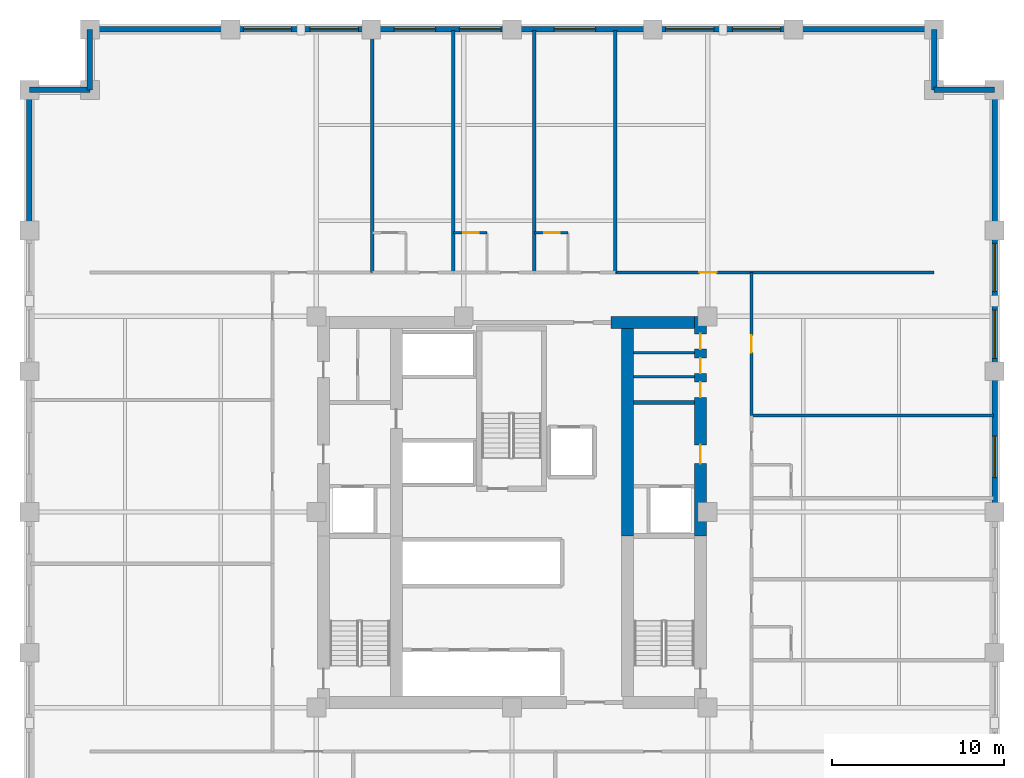
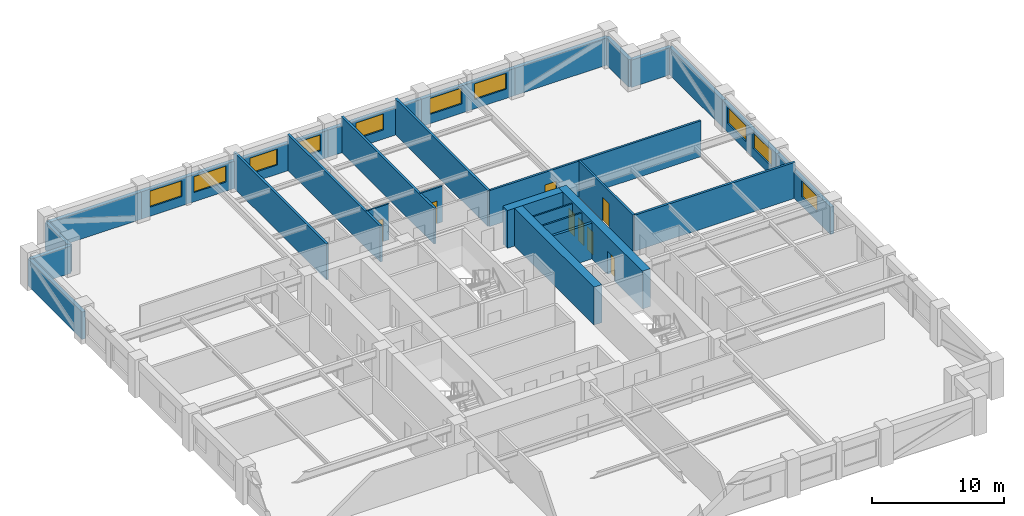
# One storey, part 5 of 7: 29 walls, 10 windows, 8 doors, 18 openings.
"""IFC4 building model written with IfcOpenShell, lengths in metres."""

from ifc_helpers import new_model, si_unit, direction, frame, frame_2d, origin, place, context, subcontext, project, spatial, rectangle, extrude, material, layer, layer_set, type_object, element, fill, save


model = new_model("IFC4")

# Units and contexts
model_context = context("Model", 3, precision=1e-05, world=origin(), true_north=direction((0.0, 1.0)))
body_context = subcontext(model_context, "Body", "Model", "MODEL_VIEW")
ifc_project = project(units=[si_unit("LENGTHUNIT", "METRE"), si_unit("AREAUNIT", "SQUARE_METRE"), si_unit("VOLUMEUNIT", "CUBIC_METRE"), si_unit("PLANEANGLEUNIT", "RADIAN"), si_unit("MASSUNIT", "GRAM", prefix="KILO")], contexts=[model_context])

# Site, building, storey
site_placement = place(None, origin())
site = spatial("IfcSite", under=ifc_project, at=site_placement, CompositionType="ELEMENT")
building_placement = place(site_placement, origin())
building = spatial("IfcBuilding", under=site, at=building_placement, Name="Nhamokura Convention Tower", CompositionType="ELEMENT")
storey_placement = place(building_placement, frame((0.0, 0.0, 52.85009765625)))
storey = spatial("IfcBuildingStorey", under=building, at=storey_placement, Name="L11", CompositionType="ELEMENT", Elevation=52.85009765625)

# Walls
ifc_material_1 = material(Name="Moisture-resistant tile-backer partition", Category="masonry")
ifc_layer_1 = layer(ifc_material_1, 0.139892578125)
ifc_layer_set_1 = layer_set([ifc_layer_1], Name="BathroomWetWall_140")
wall_type_1 = type_object("IfcWallType", Name="BathroomWetWall_140", PredefinedType="STANDARD", material=ifc_layer_set_1)
for number, where, z_axis, x_axis, name in (
    (1, (39.06005859375, 39.85009765625, 0.0), (0.0, 0.0, 1.0), (1.0, 0.0, 0.0), "L11 Wall INT-L11-CWNE1"),
    (2, (39.06005859375, 41.25, 0.0), (0.0, 0.0, 1.0), (1.0, 0.0, 0.0), "L11 Wall INT-L11-CWNE2"),
):
    element("IfcWall", number, at=place(storey_placement, frame(where, z_axis=z_axis, x_axis=x_axis)), inside=storey, type_object=wall_type_1, Name=name, PredefinedType="STANDARD", context=body_context, shape_type="SweptSolid", body=[
        extrude(rectangle(XDim=3.530029296875, YDim=0.139892578125, at=frame_2d((1.76513671875, 0.0))), origin(), (0.0, 0.0, 1.0), 3.31982421875),
    ])

# Wall, opening, door
wall_1_placement = place(storey_placement, frame((28.60009765625, 48.199951171875, 0.0), z_axis=(0.0, 0.0, 1.0), x_axis=(1.0, 0.0, 0.0)))
wall_1 = element("IfcWall", 3, at=wall_1_placement, inside=storey, type_object=wall_type_1, Name="L11 Wall INT-L11-BW-N02N", PredefinedType="STANDARD", context=body_context, shape_type="SweptSolid", body=[
    extrude(rectangle(XDim=1.949951171875, YDim=0.139892578125, at=frame_2d((0.97509765625, 0.0))), origin(), (0.0, 0.0, 1.0), 3.31982421875),
])
opening_1_placement = place(wall_1_placement, frame((0.580078125, 0.0, 0.0)))
opening_1 = element("IfcOpeningElement", 4, at=opening_1_placement, cuts=wall_1, Name="Opening D-11", PredefinedType="OPENING", context=body_context, shape_type="SweptSolid", body=[
    extrude(rectangle(XDim=0.8798828125, YDim=2.10009765625, at=frame_2d((0.43994140625, 1.050048828125))), frame((0.0, 0.079833984375, 0.0), z_axis=(0.0, -1.0, 0.0), x_axis=(1.0, 0.0, 0.0)), (0.0, 0.0, 1.0), 0.159912109375),
])
ifc_material_2 = material(Name="Solid oak hardwood", Category="wood")
door_type_1 = type_object("IfcDoorType", Name="BathroomDoor_880", OperationType="NOTDEFINED", PredefinedType="DOOR", material=ifc_material_2)
door_1_placement = place(opening_1_placement, origin())
door_1 = element("IfcDoor", 5, at=door_1_placement, inside=storey, type_object=door_type_1, Name="L11 Guest Room En-suite Door", OperationType="SINGLE_SWING_RIGHT", OverallHeight=2.10009765625, OverallWidth=0.8798828125, PredefinedType="DOOR", context=body_context, shape_type="SweptSolid", body=[
    extrude(rectangle(XDim=0.8798828125, YDim=2.10009765625, at=frame_2d((0.43994140625, 1.050048828125))), frame((0.0, 0.02490234375, 0.0), z_axis=(0.0, -1.0, 0.0), x_axis=(1.0, 0.0, 0.0)), (0.0, 0.0, 1.0), 0.050048828125),
])
fill(opening_1, door_1)

wall_2_placement = place(storey_placement, frame((33.300048828125, 48.199951171875, 0.0), z_axis=(0.0, 0.0, 1.0), x_axis=(1.0, 0.0, 0.0)))
wall_2 = element("IfcWall", 6, at=wall_2_placement, inside=storey, type_object=wall_type_1, Name="L11 Wall INT-L11-BW-N03N", PredefinedType="STANDARD", context=body_context, shape_type="SweptSolid", body=[
    extrude(rectangle(XDim=1.949951171875, YDim=0.139892578125, at=frame_2d((0.97509765625, 0.0))), origin(), (0.0, 0.0, 1.0), 3.31982421875),
])
opening_2_placement = place(wall_2_placement, frame((0.580078125, 0.0, 0.0)))
opening_2 = element("IfcOpeningElement", 7, at=opening_2_placement, cuts=wall_2, Name="Opening D-11", PredefinedType="OPENING", context=body_context, shape_type="SweptSolid", body=[
    extrude(rectangle(XDim=0.8798828125, YDim=2.10009765625, at=frame_2d((0.43994140625, 1.050048828125))), frame((0.0, 0.079833984375, 0.0), z_axis=(0.0, -1.0, 0.0), x_axis=(1.0, 0.0, 0.0)), (0.0, 0.0, 1.0), 0.159912109375),
])
door_2_placement = place(opening_2_placement, origin())
door_2 = element("IfcDoor", 8, at=door_2_placement, inside=storey, type_object=door_type_1, Name="L11 Guest Room En-suite Door", OperationType="SINGLE_SWING_RIGHT", OverallHeight=2.10009765625, OverallWidth=0.8798828125, PredefinedType="DOOR", context=body_context, shape_type="SweptSolid", body=[
    extrude(rectangle(XDim=0.8798828125, YDim=2.10009765625, at=frame_2d((0.43994140625, 1.050048828125))), frame((0.0, 0.02490234375, 0.0), z_axis=(0.0, -1.0, 0.0), x_axis=(1.0, 0.0, 0.0)), (0.0, 0.0, 1.0), 0.050048828125),
])
fill(opening_2, door_2)

# Wall
ifc_material_3 = material(Name="Bronze-pigmented precast concrete C45/55", Category="concrete")
ifc_layer_2 = layer(ifc_material_3, 0.320068359375)
ifc_layer_set_2 = layer_set([ifc_layer_2], Name="BronzePrecastSpandrel_320")
wall_type_2 = type_object("IfcWallType", Name="BronzePrecastSpandrel_320", PredefinedType="USERDEFINED", material=ifc_layer_set_2)
wall_3_placement = place(storey_placement, frame((7.5, 60.0, 0.0), z_axis=(0.0, 0.0, 1.0), x_axis=(1.0, 0.0, 0.0)))
element("IfcWall", 9, at=wall_3_placement, inside=storey, type_object=wall_type_2, Name="L11 Braced-Bay Precast Wall NORTH 0", ObjectType="SPANDREL_WALL", PredefinedType="USERDEFINED", context=body_context, shape_type="SweptSolid", body=[
    extrude(rectangle(XDim=8.166748046875, YDim=0.320068359375, at=frame_2d((4.08349609375, 0.0))), origin(), (0.0, 0.0, 1.0), 2.52001953125),
])

# Wall, openings, windows
wall_4_placement = place(storey_placement, frame((15.666748046875, 60.0, 0.0), z_axis=(0.0, 0.0, 1.0), x_axis=(1.0, 0.0, 0.0)))
wall_4 = element("IfcWall", 10, at=wall_4_placement, inside=storey, type_object=wall_type_2, Name="L11 Masonry-Frame Wall NORTH 1", ObjectType="SPANDREL_WALL", PredefinedType="USERDEFINED", context=body_context, shape_type="SweptSolid", body=[
    extrude(rectangle(XDim=8.16650390625, YDim=0.320068359375, at=frame_2d((4.083251953125, 0.0))), origin(), (0.0, 0.0, 1.0), 2.52001953125),
])
opening_3_placement = place(wall_4_placement, frame((0.74169921875, 0.0, 0.85009765625)))
opening_3 = element("IfcOpeningElement", 11, at=opening_3_placement, cuts=wall_4, Name="Opening W-04", PredefinedType="OPENING", context=body_context, shape_type="SweptSolid", body=[
    extrude(rectangle(XDim=2.800048828125, YDim=1.469970703125, at=frame_2d((1.39990234375, 0.73486328125))), frame((0.0, 0.169921875, 0.0), z_axis=(0.0, -1.0, 0.0), x_axis=(1.0, 0.0, 0.0)), (0.0, 0.0, 1.0), 0.340087890625),
])
opening_4_placement = place(wall_4_placement, frame((4.625, 0.0, 0.85009765625)))
opening_4 = element("IfcOpeningElement", 12, at=opening_4_placement, cuts=wall_4, Name="Opening W-04", PredefinedType="OPENING", context=body_context, shape_type="SweptSolid", body=[
    extrude(rectangle(XDim=2.800048828125, YDim=1.469970703125, at=frame_2d((1.39990234375, 0.73486328125))), frame((0.0, 0.169921875, 0.0), z_axis=(0.0, -1.0, 0.0), x_axis=(1.0, 0.0, 0.0)), (0.0, 0.0, 1.0), 0.340087890625),
])
ifc_material_4 = material(Name="Solar-control bronze low-E double glass", Category="glass")
window_type_1 = type_object("IfcWindowType", Name="HotelSuiteWindow_2800", PartitioningType="DOUBLE_PANEL_VERTICAL", PredefinedType="WINDOW", material=ifc_material_4)
window_1_placement = place(opening_3_placement, origin())
window_1 = element("IfcWindow", 13, at=window_1_placement, inside=storey, type_object=window_type_1, Name="L11 Facade Window NORTH 1-1", OverallHeight=1.469970703125, OverallWidth=2.800048828125, PartitioningType="SINGLE_PANEL", PredefinedType="WINDOW", context=body_context, shape_type="SweptSolid", body=[
    extrude(rectangle(XDim=2.800048828125, YDim=1.469970703125, at=frame_2d((1.39990234375, 0.73486328125))), frame((0.0, 0.030029296875, 0.0), z_axis=(0.0, -1.0, 0.0), x_axis=(1.0, 0.0, 0.0)), (0.0, 0.0, 1.0), 0.06005859375),
])
fill(opening_3, window_1)
window_2_placement = place(opening_4_placement, origin())
window_2 = element("IfcWindow", 14, at=window_2_placement, inside=storey, type_object=window_type_1, Name="L11 Facade Window NORTH 1-2", OverallHeight=1.469970703125, OverallWidth=2.800048828125, PartitioningType="SINGLE_PANEL", PredefinedType="WINDOW", context=body_context, shape_type="SweptSolid", body=[
    extrude(rectangle(XDim=2.800048828125, YDim=1.469970703125, at=frame_2d((1.39990234375, 0.73486328125))), frame((0.0, 0.030029296875, 0.0), z_axis=(0.0, -1.0, 0.0), x_axis=(1.0, 0.0, 0.0)), (0.0, 0.0, 1.0), 0.06005859375),
])
fill(opening_4, window_2)

wall_5_placement = place(storey_placement, frame((23.833251953125, 60.0, 0.0), z_axis=(0.0, 0.0, 1.0), x_axis=(1.0, 0.0, 0.0)))
wall_5 = element("IfcWall", 15, at=wall_5_placement, inside=storey, type_object=wall_type_2, Name="L11 Masonry-Frame Wall NORTH 2", ObjectType="SPANDREL_WALL", PredefinedType="USERDEFINED", context=body_context, shape_type="SweptSolid", body=[
    extrude(rectangle(XDim=8.166748046875, YDim=0.320068359375, at=frame_2d((4.08349609375, 0.0))), origin(), (0.0, 0.0, 1.0), 2.52001953125),
])
opening_5_placement = place(wall_5_placement, frame((1.33349609375, 0.0, 0.85009765625)))
opening_5 = element("IfcOpeningElement", 16, at=opening_5_placement, cuts=wall_5, Name="Opening W-03", PredefinedType="OPENING", context=body_context, shape_type="SweptSolid", body=[
    extrude(rectangle(XDim=2.39990234375, YDim=1.469970703125, at=frame_2d((1.199951171875, 0.73486328125))), frame((0.0, 0.169921875, 0.0), z_axis=(0.0, -1.0, 0.0), x_axis=(1.0, 0.0, 0.0)), (0.0, 0.0, 1.0), 0.340087890625),
])
opening_6_placement = place(wall_5_placement, frame((5.11669921875, 0.0, 0.85009765625)))
opening_6 = element("IfcOpeningElement", 17, at=opening_6_placement, cuts=wall_5, Name="Opening W-03", PredefinedType="OPENING", context=body_context, shape_type="SweptSolid", body=[
    extrude(rectangle(XDim=2.39990234375, YDim=1.469970703125, at=frame_2d((1.199951171875, 0.73486328125))), frame((0.0, 0.169921875, 0.0), z_axis=(0.0, -1.0, 0.0), x_axis=(1.0, 0.0, 0.0)), (0.0, 0.0, 1.0), 0.340087890625),
])
ifc_material_5 = material(Name="Solar-control bronze low-E double glass", Category="glass")
window_type_2 = type_object("IfcWindowType", Name="HotelBayWindow_2400", PartitioningType="DOUBLE_PANEL_VERTICAL", PredefinedType="WINDOW", material=ifc_material_5)
window_3_placement = place(opening_5_placement, origin())
window_3 = element("IfcWindow", 18, at=window_3_placement, inside=storey, type_object=window_type_2, Name="L11 Facade Window NORTH 2-1", OverallHeight=1.469970703125, OverallWidth=2.39990234375, PartitioningType="SINGLE_PANEL", PredefinedType="WINDOW", context=body_context, shape_type="SweptSolid", body=[
    extrude(rectangle(XDim=2.39990234375, YDim=1.469970703125, at=frame_2d((1.199951171875, 0.73486328125))), frame((0.0, 0.030029296875, 0.0), z_axis=(0.0, -1.0, 0.0), x_axis=(1.0, 0.0, 0.0)), (0.0, 0.0, 1.0), 0.06005859375),
])
fill(opening_5, window_3)
window_4_placement = place(opening_6_placement, origin())
window_4 = element("IfcWindow", 19, at=window_4_placement, inside=storey, type_object=window_type_2, Name="L11 Facade Window NORTH 2-2", OverallHeight=1.469970703125, OverallWidth=2.39990234375, PartitioningType="SINGLE_PANEL", PredefinedType="WINDOW", context=body_context, shape_type="SweptSolid", body=[
    extrude(rectangle(XDim=2.39990234375, YDim=1.469970703125, at=frame_2d((1.199951171875, 0.73486328125))), frame((0.0, 0.030029296875, 0.0), z_axis=(0.0, -1.0, 0.0), x_axis=(1.0, 0.0, 0.0)), (0.0, 0.0, 1.0), 0.06005859375),
])
fill(opening_6, window_4)

# Wall, opening, window
wall_6_placement = place(storey_placement, frame((32.0, 60.0, 0.0), z_axis=(0.0, 0.0, 1.0), x_axis=(1.0, 0.0, 0.0)))
wall_6 = element("IfcWall", 20, at=wall_6_placement, inside=storey, type_object=wall_type_2, Name="L11 Masonry-Frame Wall NORTH 3", ObjectType="SPANDREL_WALL", PredefinedType="USERDEFINED", context=body_context, shape_type="SweptSolid", body=[
    extrude(rectangle(XDim=8.166748046875, YDim=0.320068359375, at=frame_2d((4.08349609375, 0.0))), origin(), (0.0, 0.0, 1.0), 2.52001953125),
])
opening_7_placement = place(wall_6_placement, frame((2.449951171875, 0.0, 0.85009765625)))
opening_7 = element("IfcOpeningElement", 21, at=opening_7_placement, cuts=wall_6, Name="Opening W-03", PredefinedType="OPENING", context=body_context, shape_type="SweptSolid", body=[
    extrude(rectangle(XDim=2.39990234375, YDim=1.469970703125, at=frame_2d((1.199951171875, 0.73486328125))), frame((0.0, 0.169921875, 0.0), z_axis=(0.0, -1.0, 0.0), x_axis=(1.0, 0.0, 0.0)), (0.0, 0.0, 1.0), 0.340087890625),
])
window_5_placement = place(opening_7_placement, origin())
window_5 = element("IfcWindow", 22, at=window_5_placement, inside=storey, type_object=window_type_2, Name="L11 Facade Window NORTH 3-2", OverallHeight=1.469970703125, OverallWidth=2.39990234375, PartitioningType="SINGLE_PANEL", PredefinedType="WINDOW", context=body_context, shape_type="SweptSolid", body=[
    extrude(rectangle(XDim=2.39990234375, YDim=1.469970703125, at=frame_2d((1.199951171875, 0.73486328125))), frame((0.0, 0.030029296875, 0.0), z_axis=(0.0, -1.0, 0.0), x_axis=(1.0, 0.0, 0.0)), (0.0, 0.0, 1.0), 0.06005859375),
])
fill(opening_7, window_5)

# Wall, openings, windows
wall_7_placement = place(storey_placement, frame((40.166748046875, 60.0, 0.0), z_axis=(0.0, 0.0, 1.0), x_axis=(1.0, 0.0, 0.0)))
wall_7 = element("IfcWall", 23, at=wall_7_placement, inside=storey, type_object=wall_type_2, Name="L11 Masonry-Frame Wall NORTH 4", ObjectType="SPANDREL_WALL", PredefinedType="USERDEFINED", context=body_context, shape_type="SweptSolid", body=[
    extrude(rectangle(XDim=8.16650390625, YDim=0.320068359375, at=frame_2d((4.083251953125, 0.0))), origin(), (0.0, 0.0, 1.0), 2.52001953125),
])
opening_8_placement = place(wall_7_placement, frame((0.74169921875, 0.0, 0.85009765625)))
opening_8 = element("IfcOpeningElement", 24, at=opening_8_placement, cuts=wall_7, Name="Opening W-04", PredefinedType="OPENING", context=body_context, shape_type="SweptSolid", body=[
    extrude(rectangle(XDim=2.800048828125, YDim=1.469970703125, at=frame_2d((1.39990234375, 0.73486328125))), frame((0.0, 0.169921875, 0.0), z_axis=(0.0, -1.0, 0.0), x_axis=(1.0, 0.0, 0.0)), (0.0, 0.0, 1.0), 0.340087890625),
])
opening_9_placement = place(wall_7_placement, frame((4.625, 0.0, 0.85009765625)))
opening_9 = element("IfcOpeningElement", 25, at=opening_9_placement, cuts=wall_7, Name="Opening W-04", PredefinedType="OPENING", context=body_context, shape_type="SweptSolid", body=[
    extrude(rectangle(XDim=2.800048828125, YDim=1.469970703125, at=frame_2d((1.39990234375, 0.73486328125))), frame((0.0, 0.169921875, 0.0), z_axis=(0.0, -1.0, 0.0), x_axis=(1.0, 0.0, 0.0)), (0.0, 0.0, 1.0), 0.340087890625),
])
window_6_placement = place(opening_8_placement, origin())
window_6 = element("IfcWindow", 26, at=window_6_placement, inside=storey, type_object=window_type_1, Name="L11 Facade Window NORTH 4-1", OverallHeight=1.469970703125, OverallWidth=2.800048828125, PartitioningType="SINGLE_PANEL", PredefinedType="WINDOW", context=body_context, shape_type="SweptSolid", body=[
    extrude(rectangle(XDim=2.800048828125, YDim=1.469970703125, at=frame_2d((1.39990234375, 0.73486328125))), frame((0.0, 0.030029296875, 0.0), z_axis=(0.0, -1.0, 0.0), x_axis=(1.0, 0.0, 0.0)), (0.0, 0.0, 1.0), 0.06005859375),
])
fill(opening_8, window_6)
window_7_placement = place(opening_9_placement, origin())
window_7 = element("IfcWindow", 27, at=window_7_placement, inside=storey, type_object=window_type_1, Name="L11 Facade Window NORTH 4-2", OverallHeight=1.469970703125, OverallWidth=2.800048828125, PartitioningType="SINGLE_PANEL", PredefinedType="WINDOW", context=body_context, shape_type="SweptSolid", body=[
    extrude(rectangle(XDim=2.800048828125, YDim=1.469970703125, at=frame_2d((1.39990234375, 0.73486328125))), frame((0.0, 0.030029296875, 0.0), z_axis=(0.0, -1.0, 0.0), x_axis=(1.0, 0.0, 0.0)), (0.0, 0.0, 1.0), 0.06005859375),
])
fill(opening_9, window_7)

# Walls
for number, where, z_axis, x_axis, name in (
    (28, (48.333251953125, 60.0, 0.0), (0.0, 0.0, 1.0), (1.0, 0.0, 0.0), "L11 Braced-Bay Precast Wall NORTH 5"),
    (29, (4.0, 48.333251953125, 0.0), (0.0, 0.0, 1.0), (0.0, 1.0, 0.0), "L11 Braced-Bay Precast Wall WEST 5"),
):
    element("IfcWall", number, at=place(storey_placement, frame(where, z_axis=z_axis, x_axis=x_axis)), inside=storey, type_object=wall_type_2, Name=name, ObjectType="SPANDREL_WALL", PredefinedType="USERDEFINED", context=body_context, shape_type="SweptSolid", body=[
        extrude(rectangle(XDim=8.166748046875, YDim=0.320068359375, at=frame_2d((4.08349609375, 0.0))), origin(), (0.0, 0.0, 1.0), 2.52001953125),
    ])

# Wall, opening, window
wall_8_placement = place(storey_placement, frame((60.0, 40.166748046875, 0.0), z_axis=(0.0, 0.0, 1.0), x_axis=(0.0, -1.0, 0.0)))
wall_8 = element("IfcWall", 30, at=wall_8_placement, inside=storey, type_object=wall_type_2, Name="L11 Masonry-Frame Wall EAST 3", ObjectType="SPANDREL_WALL", PredefinedType="USERDEFINED", context=body_context, shape_type="SweptSolid", body=[
    extrude(rectangle(XDim=8.166748046875, YDim=0.320068359375, at=frame_2d((4.08349609375, 0.0))), origin(), (0.0, 0.0, 1.0), 2.52001953125),
])
opening_10_placement = place(wall_8_placement, frame((3.7666015625, 0.0, 0.85009765625)))
opening_10 = element("IfcOpeningElement", 31, at=opening_10_placement, cuts=wall_8, Name="Opening W-03", PredefinedType="OPENING", context=body_context, shape_type="SweptSolid", body=[
    extrude(rectangle(XDim=2.39990234375, YDim=1.469970703125, at=frame_2d((1.199951171875, 0.73486328125))), frame((0.0, 0.169921875, 0.0), z_axis=(0.0, -1.0, 0.0), x_axis=(1.0, 0.0, 0.0)), (0.0, 0.0, 1.0), 0.340087890625),
])
window_8_placement = place(opening_10_placement, origin())
window_8 = element("IfcWindow", 32, at=window_8_placement, inside=storey, type_object=window_type_2, Name="L11 Facade Window EAST 3-2", OverallHeight=1.469970703125, OverallWidth=2.39990234375, PartitioningType="SINGLE_PANEL", PredefinedType="WINDOW", context=body_context, shape_type="SweptSolid", body=[
    extrude(rectangle(XDim=2.39990234375, YDim=1.469970703125, at=frame_2d((1.199951171875, 0.73486328125))), frame((0.0, 0.030029296875, 0.0), z_axis=(0.0, -1.0, 0.0), x_axis=(1.0, 0.0, 0.0)), (0.0, 0.0, 1.0), 0.06005859375),
])
fill(opening_10, window_8)

# Wall, openings, windows
wall_9_placement = place(storey_placement, frame((60.0, 48.333251953125, 0.0), z_axis=(0.0, 0.0, 1.0), x_axis=(0.0, -1.0, 0.0)))
wall_9 = element("IfcWall", 33, at=wall_9_placement, inside=storey, type_object=wall_type_2, Name="L11 Masonry-Frame Wall EAST 4", ObjectType="SPANDREL_WALL", PredefinedType="USERDEFINED", context=body_context, shape_type="SweptSolid", body=[
    extrude(rectangle(XDim=8.16650390625, YDim=0.320068359375, at=frame_2d((4.083251953125, 0.0))), origin(), (0.0, 0.0, 1.0), 2.52001953125),
])
opening_11_placement = place(wall_9_placement, frame((0.74169921875, 0.0, 0.85009765625)))
opening_11 = element("IfcOpeningElement", 34, at=opening_11_placement, cuts=wall_9, Name="Opening W-04", PredefinedType="OPENING", context=body_context, shape_type="SweptSolid", body=[
    extrude(rectangle(XDim=2.800048828125, YDim=1.469970703125, at=frame_2d((1.39990234375, 0.73486328125))), frame((0.0, 0.169921875, 0.0), z_axis=(0.0, -1.0, 0.0), x_axis=(1.0, 0.0, 0.0)), (0.0, 0.0, 1.0), 0.340087890625),
])
opening_12_placement = place(wall_9_placement, frame((4.625, 0.0, 0.85009765625)))
opening_12 = element("IfcOpeningElement", 35, at=opening_12_placement, cuts=wall_9, Name="Opening W-04", PredefinedType="OPENING", context=body_context, shape_type="SweptSolid", body=[
    extrude(rectangle(XDim=2.800048828125, YDim=1.469970703125, at=frame_2d((1.39990234375, 0.73486328125))), frame((0.0, 0.169921875, 0.0), z_axis=(0.0, -1.0, 0.0), x_axis=(1.0, 0.0, 0.0)), (0.0, 0.0, 1.0), 0.340087890625),
])
window_9_placement = place(opening_11_placement, origin())
window_9 = element("IfcWindow", 36, at=window_9_placement, inside=storey, type_object=window_type_1, Name="L11 Facade Window EAST 4-1", OverallHeight=1.469970703125, OverallWidth=2.800048828125, PartitioningType="SINGLE_PANEL", PredefinedType="WINDOW", context=body_context, shape_type="SweptSolid", body=[
    extrude(rectangle(XDim=2.800048828125, YDim=1.469970703125, at=frame_2d((1.39990234375, 0.73486328125))), frame((0.0, 0.030029296875, 0.0), z_axis=(0.0, -1.0, 0.0), x_axis=(1.0, 0.0, 0.0)), (0.0, 0.0, 1.0), 0.06005859375),
])
fill(opening_11, window_9)
window_10_placement = place(opening_12_placement, origin())
window_10 = element("IfcWindow", 37, at=window_10_placement, inside=storey, type_object=window_type_1, Name="L11 Facade Window EAST 4-2", OverallHeight=1.469970703125, OverallWidth=2.800048828125, PartitioningType="SINGLE_PANEL", PredefinedType="WINDOW", context=body_context, shape_type="SweptSolid", body=[
    extrude(rectangle(XDim=2.800048828125, YDim=1.469970703125, at=frame_2d((1.39990234375, 0.73486328125))), frame((0.0, 0.030029296875, 0.0), z_axis=(0.0, -1.0, 0.0), x_axis=(1.0, 0.0, 0.0)), (0.0, 0.0, 1.0), 0.06005859375),
])
fill(opening_12, window_10)

# Walls
wall_10_placement = place(storey_placement, frame((60.0, 56.5, 0.0), z_axis=(0.0, 0.0, 1.0), x_axis=(0.0, -1.0, 0.0)))
element("IfcWall", 38, at=wall_10_placement, inside=storey, type_object=wall_type_2, Name="L11 Braced-Bay Precast Wall EAST 5", ObjectType="SPANDREL_WALL", PredefinedType="USERDEFINED", context=body_context, shape_type="SweptSolid", body=[
    extrude(rectangle(XDim=8.166748046875, YDim=0.320068359375, at=frame_2d((4.08349609375, 0.0))), origin(), (0.0, 0.0, 1.0), 2.52001953125),
])
for number, where, z_axis, x_axis, name in (
    (39, (56.5, 56.5, 0.0), (0.0, 0.0, 1.0), (1.0, 0.0, 0.0), "L11 Notched Corner Wall NE1"),
    (40, (56.5, 60.0, 0.0), (0.0, 0.0, 1.0), (0.0, -1.0, 0.0), "L11 Notched Corner Wall NE2"),
    (41, (7.5, 56.5, 0.0), (0.0, 0.0, 1.0), (0.0, 1.0, 0.0), "L11 Notched Corner Wall NW1"),
    (42, (4.0, 56.5, 0.0), (0.0, 0.0, 1.0), (1.0, 0.0, 0.0), "L11 Notched Corner Wall NW2"),
):
    element("IfcWall", number, at=place(storey_placement, frame(where, z_axis=z_axis, x_axis=x_axis)), inside=storey, type_object=wall_type_2, Name=name, ObjectType="SPANDREL_WALL", PredefinedType="USERDEFINED", context=body_context, shape_type="SweptSolid", body=[
        extrude(rectangle(XDim=3.5, YDim=0.320068359375, at=frame_2d((1.75, 0.0))), origin(), (0.0, 0.0, 1.0), 2.52001953125),
    ])

# Wall, openings, doors
ifc_material_6 = material(Name="Concrete C70/85", Category="concrete")
ifc_layer_3 = layer(ifc_material_6, 0.699951171875)
ifc_layer_set_3 = layer_set([ifc_layer_3], Name="CoreShearWall_700")
wall_type_3 = type_object("IfcWallType", Name="CoreShearWall_700", PredefinedType="SHEAR", material=ifc_layer_set_3)
wall_11_placement = place(storey_placement, frame((42.93994140625, 30.60009765625, 0.0), z_axis=(0.0, 0.0, 1.0), x_axis=(0.0, 1.0, 0.0)))
wall_11 = element("IfcWall", 43, at=wall_11_placement, inside=storey, type_object=wall_type_3, Name="L11 Core Shear Wall CW-EN", PredefinedType="SHEAR", context=body_context, shape_type="SweptSolid", body=[
    extrude(rectangle(XDim=12.75, YDim=0.699951171875, at=frame_2d((6.375, 0.0))), origin(), (0.0, 0.0, 1.0), 3.5),
])
opening_13_placement = place(wall_11_placement, frame((4.199951171875, 0.0, 0.0)))
opening_13 = element("IfcOpeningElement", 44, at=opening_13_placement, cuts=wall_11, Name="Opening D-05", PredefinedType="OPENING", context=body_context, shape_type="SweptSolid", body=[
    extrude(rectangle(XDim=1.10009765625, YDim=2.14990234375, at=frame_2d((0.550048828125, 1.074951171875))), frame((0.0, 0.35986328125, 0.0), z_axis=(0.0, -1.0, 0.0), x_axis=(1.0, 0.0, 0.0)), (0.0, 0.0, 1.0), 0.719970703125),
])
opening_14_placement = place(wall_11_placement, frame((8.050048828125, 0.0, 0.0)))
opening_14 = element("IfcOpeningElement", 45, at=opening_14_placement, cuts=wall_11, Name="Opening D-11", PredefinedType="OPENING", context=body_context, shape_type="SweptSolid", body=[
    extrude(rectangle(XDim=0.8798828125, YDim=2.10009765625, at=frame_2d((0.43994140625, 1.050048828125))), frame((0.0, 0.35986328125, 0.0), z_axis=(0.0, -1.0, 0.0), x_axis=(1.0, 0.0, 0.0)), (0.0, 0.0, 1.0), 0.719970703125),
])
opening_15_placement = place(wall_11_placement, frame((9.449951171875, 0.0, 0.0)))
opening_15 = element("IfcOpeningElement", 46, at=opening_15_placement, cuts=wall_11, Name="Opening D-11", PredefinedType="OPENING", context=body_context, shape_type="SweptSolid", body=[
    extrude(rectangle(XDim=0.8798828125, YDim=2.10009765625, at=frame_2d((0.43994140625, 1.050048828125))), frame((0.0, 0.35986328125, 0.0), z_axis=(0.0, -1.0, 0.0), x_axis=(1.0, 0.0, 0.0)), (0.0, 0.0, 1.0), 0.719970703125),
])
opening_16_placement = place(wall_11_placement, frame((10.85009765625, 0.0, 0.0)))
opening_16 = element("IfcOpeningElement", 47, at=opening_16_placement, cuts=wall_11, Name="Opening D-11", PredefinedType="OPENING", context=body_context, shape_type="SweptSolid", body=[
    extrude(rectangle(XDim=0.8798828125, YDim=2.10009765625, at=frame_2d((0.43994140625, 1.050048828125))), frame((0.0, 0.35986328125, 0.0), z_axis=(0.0, -1.0, 0.0), x_axis=(1.0, 0.0, 0.0)), (0.0, 0.0, 1.0), 0.719970703125),
])
door_3_placement = place(opening_14_placement, origin())
door_3 = element("IfcDoor", 48, at=door_3_placement, inside=storey, type_object=door_type_1, Name="L11 Core Door INT-L11-D-MWC", OperationType="SINGLE_SWING_LEFT", OverallHeight=2.10009765625, OverallWidth=0.8798828125, PredefinedType="DOOR", context=body_context, shape_type="SweptSolid", body=[
    extrude(rectangle(XDim=0.8798828125, YDim=2.10009765625, at=frame_2d((0.43994140625, 1.050048828125))), frame((0.0, 0.02490234375, 0.0), z_axis=(0.0, -1.0, 0.0), x_axis=(1.0, 0.0, 0.0)), (0.0, 0.0, 1.0), 0.050048828125),
])
fill(opening_14, door_3)
door_4_placement = place(opening_15_placement, origin())
door_4 = element("IfcDoor", 49, at=door_4_placement, inside=storey, type_object=door_type_1, Name="L11 Core Door INT-L11-D-FWC", OperationType="SINGLE_SWING_RIGHT", OverallHeight=2.10009765625, OverallWidth=0.8798828125, PredefinedType="DOOR", context=body_context, shape_type="SweptSolid", body=[
    extrude(rectangle(XDim=0.8798828125, YDim=2.10009765625, at=frame_2d((0.43994140625, 1.050048828125))), frame((0.0, 0.02490234375, 0.0), z_axis=(0.0, -1.0, 0.0), x_axis=(1.0, 0.0, 0.0)), (0.0, 0.0, 1.0), 0.050048828125),
])
fill(opening_15, door_4)
door_5_placement = place(opening_16_placement, origin())
door_5 = element("IfcDoor", 50, at=door_5_placement, inside=storey, type_object=door_type_1, Name="L11 Core Door INT-L11-D-ARC", OperationType="SINGLE_SWING_LEFT", OverallHeight=2.10009765625, OverallWidth=0.8798828125, PredefinedType="DOOR", context=body_context, shape_type="SweptSolid", body=[
    extrude(rectangle(XDim=0.8798828125, YDim=2.10009765625, at=frame_2d((0.43994140625, 1.050048828125))), frame((0.0, 0.02490234375, 0.0), z_axis=(0.0, -1.0, 0.0), x_axis=(1.0, 0.0, 0.0)), (0.0, 0.0, 1.0), 0.050048828125),
])
fill(opening_16, door_5)
ifc_material_7 = material(Name="Fire-rated steel door", Category="steel")
door_type_2 = type_object("IfcDoorType", Name="FireLobbyDoor_1100", OperationType="NOTDEFINED", PredefinedType="DOOR", material=ifc_material_7)
door_6_placement = place(opening_13_placement, origin())
door_6 = element("IfcDoor", 51, at=door_6_placement, inside=storey, type_object=door_type_2, Name="L11 Core Door INT-L11-D-FFLE", OperationType="SINGLE_SWING_LEFT", OverallHeight=2.14990234375, OverallWidth=1.10009765625, PredefinedType="DOOR", context=body_context, shape_type="SweptSolid", body=[
    extrude(rectangle(XDim=1.10009765625, YDim=2.14990234375, at=frame_2d((0.550048828125, 1.074951171875))), frame((0.0, 0.02490234375, 0.0), z_axis=(0.0, -1.0, 0.0), x_axis=(1.0, 0.0, 0.0)), (0.0, 0.0, 1.0), 0.050048828125),
])
fill(opening_13, door_6)

# Walls
wall_12_placement = place(storey_placement, frame((37.75, 43.0, 0.0), z_axis=(0.0, 0.0, 1.0), x_axis=(1.0, 0.0, 0.0)))
element("IfcWall", 52, at=wall_12_placement, inside=storey, type_object=wall_type_3, Name="L11 Core Shear Wall CW-N2", PredefinedType="SHEAR", context=body_context, shape_type="SweptSolid", body=[
    extrude(rectangle(XDim=4.840087890625, YDim=0.699951171875, at=frame_2d((2.419921875, 0.0))), origin(), (0.0, 0.0, 1.0), 3.5),
])
wall_13_placement = place(storey_placement, frame((38.7099609375, 30.60009765625, 0.0), z_axis=(0.0, 0.0, 1.0), x_axis=(0.0, 1.0, 0.0)))
element("IfcWall", 53, at=wall_13_placement, inside=storey, type_object=wall_type_3, Name="L11 Core Shear Wall CW-IEN", PredefinedType="SHEAR", context=body_context, shape_type="SweptSolid", body=[
    extrude(rectangle(XDim=12.0498046875, YDim=0.699951171875, at=frame_2d((6.02490234375, 0.0))), origin(), (0.0, 0.0, 1.0), 3.5),
])

# Wall, opening, door
ifc_material_8 = material(Name="Fire-rated gypsum and masonry partition", Category="masonry")
ifc_layer_4 = layer(ifc_material_8, 0.179931640625)
ifc_layer_set_4 = layer_set([ifc_layer_4], Name="CorridorRatedWall_180")
wall_type_4 = type_object("IfcWallType", Name="CorridorRatedWall_180", PredefinedType="STANDARD", material=ifc_layer_set_4)
wall_14_placement = place(storey_placement, frame((38.0, 45.89990234375, 0.0), z_axis=(0.0, 0.0, 1.0), x_axis=(1.0, 0.0, 0.0)))
wall_14 = element("IfcWall", 54, at=wall_14_placement, inside=storey, type_object=wall_type_4, Name="L11 Wall INT-L11-CW-N04", PredefinedType="STANDARD", context=body_context, shape_type="SweptSolid", body=[
    extrude(rectangle(XDim=18.5, YDim=0.179931640625, at=frame_2d((9.25, 0.0))), origin(), (0.0, 0.0, 1.0), 3.31982421875),
])
opening_17_placement = place(wall_14_placement, frame((4.875, 0.0, 0.0)))
opening_17 = element("IfcOpeningElement", 55, at=opening_17_placement, cuts=wall_14, Name="Opening D-07", PredefinedType="OPENING", context=body_context, shape_type="SweptSolid", body=[
    extrude(rectangle(XDim=1.0, YDim=2.14990234375, at=frame_2d((0.5, 1.074951171875))), frame((0.0, 0.099853515625, 0.0), z_axis=(0.0, -1.0, 0.0), x_axis=(1.0, 0.0, 0.0)), (0.0, 0.0, 1.0), 0.199951171875),
])
ifc_material_9 = material(Name="Solid oak hardwood", Category="wood")
door_type_3 = type_object("IfcDoorType", Name="HotelSuiteEntryDoor_1000", OperationType="NOTDEFINED", PredefinedType="DOOR", material=ifc_material_9)
door_7_placement = place(opening_17_placement, origin())
door_7 = element("IfcDoor", 56, at=door_7_placement, inside=storey, type_object=door_type_3, Name="L11 Conference Salon N05 Door", OperationType="SINGLE_SWING_LEFT", OverallHeight=2.14990234375, OverallWidth=1.0, PredefinedType="DOOR", context=body_context, shape_type="SweptSolid", body=[
    extrude(rectangle(XDim=1.0, YDim=2.14990234375, at=frame_2d((0.5, 1.074951171875))), frame((0.0, 0.02490234375, 0.0), z_axis=(0.0, -1.0, 0.0), x_axis=(1.0, 0.0, 0.0)), (0.0, 0.0, 1.0), 0.050048828125),
])
fill(opening_17, door_7)

wall_15_placement = place(storey_placement, frame((45.89990234375, 37.60009765625, 0.0), z_axis=(0.0, 0.0, 1.0), x_axis=(0.0, 1.0, 0.0)))
wall_15 = element("IfcWall", 57, at=wall_15_placement, inside=storey, type_object=wall_type_4, Name="L11 Wall INT-L11-CW-E04", PredefinedType="STANDARD", context=body_context, shape_type="SweptSolid", body=[
    extrude(rectangle(XDim=8.2998046875, YDim=0.179931640625, at=frame_2d((4.14990234375, 0.0))), origin(), (0.0, 0.0, 1.0), 3.31982421875),
])
opening_18_placement = place(wall_15_placement, frame((3.64990234375, 0.0, 0.0)))
opening_18 = element("IfcOpeningElement", 58, at=opening_18_placement, cuts=wall_15, Name="Opening D-07", PredefinedType="OPENING", context=body_context, shape_type="SweptSolid", body=[
    extrude(rectangle(XDim=1.0, YDim=2.14990234375, at=frame_2d((0.5, 1.074951171875))), frame((0.0, 0.099853515625, 0.0), z_axis=(0.0, -1.0, 0.0), x_axis=(1.0, 0.0, 0.0)), (0.0, 0.0, 1.0), 0.199951171875),
])
door_8_placement = place(opening_18_placement, origin())
door_8 = element("IfcDoor", 59, at=door_8_placement, inside=storey, type_object=door_type_3, Name="L11 Conference Salon E05 Door", OperationType="SINGLE_SWING_LEFT", OverallHeight=2.14990234375, OverallWidth=1.0, PredefinedType="DOOR", context=body_context, shape_type="SweptSolid", body=[
    extrude(rectangle(XDim=1.0, YDim=2.14990234375, at=frame_2d((0.5, 1.074951171875))), frame((0.0, 0.02490234375, 0.0), z_axis=(0.0, -1.0, 0.0), x_axis=(1.0, 0.0, 0.0)), (0.0, 0.0, 1.0), 0.050048828125),
])
fill(opening_18, door_8)

# Walls
ifc_material_10 = material(Name="Autoclaved concrete blockwork", Category="masonry")
ifc_layer_5 = layer(ifc_material_10, 0.219970703125)
ifc_layer_set_5 = layer_set([ifc_layer_5], Name="FireLobbyWall_220")
wall_type_5 = type_object("IfcWallType", Name="FireLobbyWall_220", PredefinedType="STANDARD", material=ifc_layer_set_5)
wall_16_placement = place(storey_placement, frame((39.06005859375, 38.35009765625, 0.0), z_axis=(0.0, 0.0, 1.0), x_axis=(1.0, 0.0, 0.0)))
element("IfcWall", 60, at=wall_16_placement, inside=storey, type_object=wall_type_5, Name="L11 Wall INT-L11-FFE-N", PredefinedType="STANDARD", context=body_context, shape_type="SweptSolid", body=[
    extrude(rectangle(XDim=3.530029296875, YDim=0.219970703125, at=frame_2d((1.76513671875, 0.0))), origin(), (0.0, 0.0, 1.0), 3.31982421875),
])
ifc_material_11 = material(Name="Acoustic twin-stud gypsum partition", Category="masonry")
ifc_layer_6 = layer(ifc_material_11, 0.199951171875)
ifc_layer_set_6 = layer_set([ifc_layer_6], Name="HotelDemisingWall_200")
wall_type_6 = type_object("IfcWallType", Name="HotelDemisingWall_200", PredefinedType="STANDARD", material=ifc_layer_set_6)
for number, where, z_axis, x_axis, name in (
    (61, (23.89990234375, 45.89990234375, 0.0), (0.0, 0.0, 1.0), (0.0, 1.0, 0.0), "L11 Wall INT-L11-RW-N01"),
    (62, (28.60009765625, 45.89990234375, 0.0), (0.0, 0.0, 1.0), (0.0, 1.0, 0.0), "L11 Wall INT-L11-RW-N02"),
    (63, (33.300048828125, 45.89990234375, 0.0), (0.0, 0.0, 1.0), (0.0, 1.0, 0.0), "L11 Wall INT-L11-RW-N03"),
    (64, (38.0, 45.89990234375, 0.0), (0.0, 0.0, 1.0), (0.0, 1.0, 0.0), "L11 Wall INT-L11-RW-N04"),
    (65, (45.89990234375, 37.60009765625, 0.0), (0.0, 0.0, 1.0), (1.0, 0.0, 0.0), "L11 Wall INT-L11-RW-E04"),
):
    element("IfcWall", number, at=place(storey_placement, frame(where, z_axis=z_axis, x_axis=x_axis)), inside=storey, type_object=wall_type_6, Name=name, PredefinedType="STANDARD", context=body_context, shape_type="SweptSolid", body=[
        extrude(rectangle(XDim=14.0400390625, YDim=0.199951171875, at=frame_2d((7.02001953125, 0.0))), origin(), (0.0, 0.0, 1.0), 3.31982421875),
    ])

save(model, "model.ifc")
